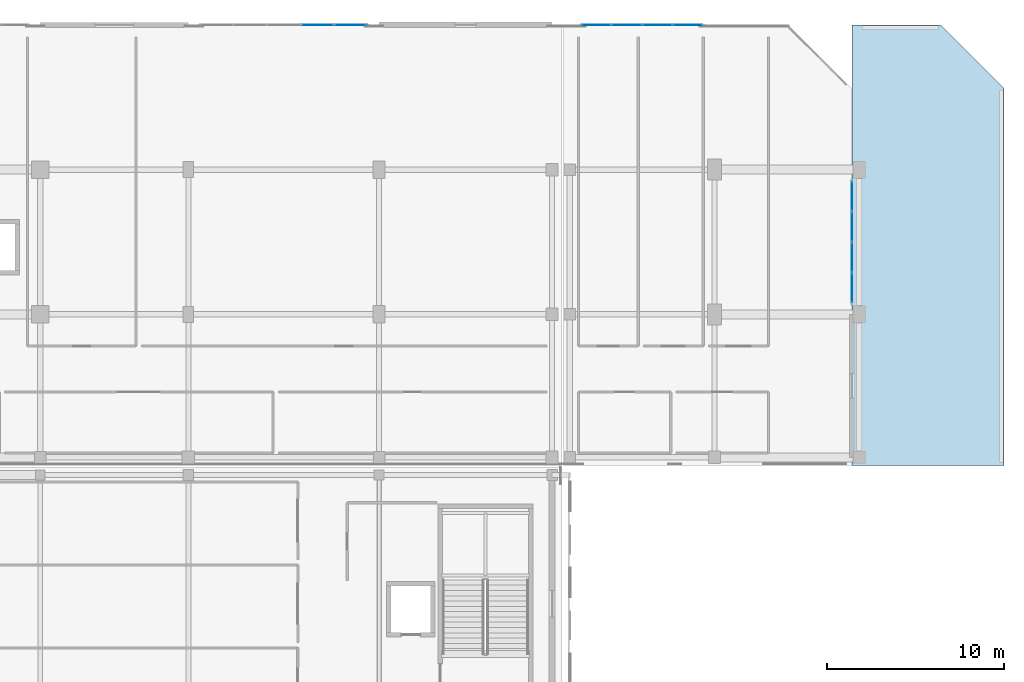
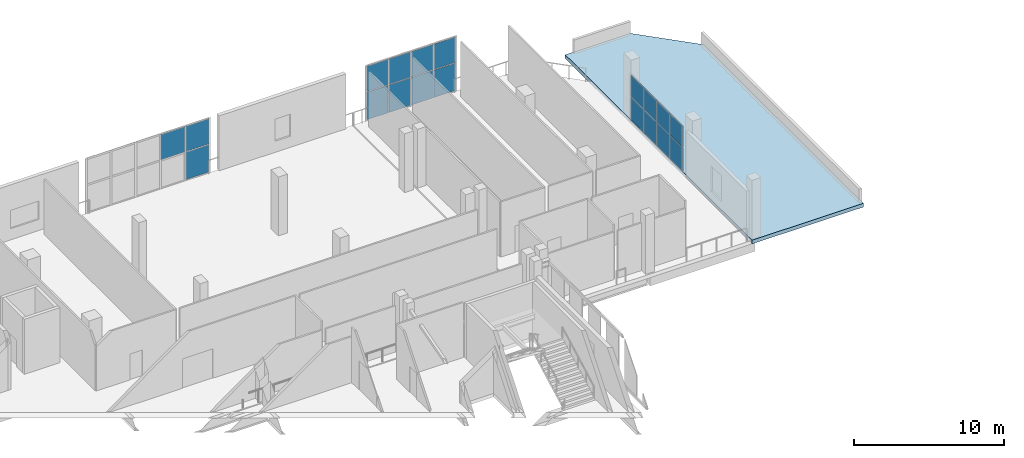
# One storey, part 85 of 142: 19 plates, 1 slab, 3 elements without a shape of their own.
"""IFC4 building model written with IfcOpenShell, lengths in metres."""

from ifc_helpers import new_model, si_unit, direction, frame, origin, origin_2d, place, context, subcontext, project, spatial, polyline, rectangle, outline, extrude, material, layer, layer_set, type_object, element, aggregate, save


model = new_model("IFC4")

# Units and contexts
model_context = context("Model", 3, precision=1e-05, world=origin(), true_north=direction((0.0, 1.0)))
body_context = subcontext(model_context, "Body", "Model", "MODEL_VIEW")
ifc_project = project(units=[si_unit("LENGTHUNIT", "METRE"), si_unit("AREAUNIT", "SQUARE_METRE"), si_unit("VOLUMEUNIT", "CUBIC_METRE"), si_unit("PLANEANGLEUNIT", "RADIAN"), si_unit("MASSUNIT", "GRAM", prefix="KILO")], contexts=[model_context])

# Site, building, storey
site_placement = place(None, origin())
site = spatial("IfcSite", under=ifc_project, at=site_placement, CompositionType="ELEMENT")
building_placement = place(site_placement, origin())
building = spatial("IfcBuilding", under=site, at=building_placement, Name="Koshinbarg Plaza Stadium", CompositionType="ELEMENT")
storey_placement = place(building_placement, frame((0.0, 0.0, 10.199951171875)))
storey = spatial("IfcBuildingStorey", under=building, at=storey_placement, Name="L02", CompositionType="ELEMENT", Elevation=10.199951171875)

# Curtain wall, plates
ifc_material_1 = material(Name="Thermally broken anodised aluminium and low-E double glazing", Category="aluminium")
curtain_wall_type_1 = type_object("IfcCurtainWallType", Name="CW-SYS-07", PredefinedType="NOTDEFINED", material=ifc_material_1)
curtain_wall_1_placement = place(storey_placement, origin())
curtain_wall_1 = element("IfcCurtainWall", 1, at=curtain_wall_1_placement, inside=storey, type_object=curtain_wall_type_1, Name="L02 unitised curtain wall CW-L02-054", PredefinedType="NOTDEFINED")
ifc_material_2 = material(Name="Solar-control low-E double glazing unit", Category="glass")
ifc_layer_1 = layer(ifc_material_2, 0.028076171875)
ifc_layer_set_1 = layer_set([ifc_layer_1], Name="Solar-control low-E double glazing unit")
plate_type_1 = type_object("IfcPlateType", Name="CW-PNL-28", PredefinedType="CURTAIN_PANEL", material=ifc_layer_set_1)
plate_1_placement = place(storey_placement, frame((220.905029296875, 152.0, 0.06005859375), z_axis=(0.0, 0.0, 1.0), x_axis=(1.0, 0.0, 0.0)))
plate_1 = element("IfcPlate", 2, at=plate_1_placement, type_object=plate_type_1, Name="CW07 panel 1.1", PredefinedType="CURTAIN_PANEL", context=body_context, shape_type="SweptSolid", body=[
    extrude(rectangle(XDim=1.64990234375, YDim=0.028076171875, at=origin_2d()), origin(), (0.0, 0.0, 1.0), 2.239501953125),
])
plate_2_placement = place(storey_placement, frame((220.905029296875, 152.0, 2.35986328125), z_axis=(0.0, 0.0, 1.0), x_axis=(1.0, 0.0, 0.0)))
plate_2 = element("IfcPlate", 3, at=plate_2_placement, type_object=plate_type_1, Name="CW07 panel 1.2", PredefinedType="CURTAIN_PANEL", context=body_context, shape_type="SweptSolid", body=[
    extrude(rectangle(XDim=1.64990234375, YDim=0.028076171875, at=origin_2d()), origin(), (0.0, 0.0, 1.0), 2.060302734375),
])
plate_3_placement = place(storey_placement, frame((222.6298828125, 152.0, 0.06005859375), z_axis=(0.0, 0.0, 1.0), x_axis=(1.0, 0.0, 0.0)))
plate_3 = element("IfcPlate", 4, at=plate_3_placement, type_object=plate_type_1, Name="CW07 panel 2.1", PredefinedType="CURTAIN_PANEL", context=body_context, shape_type="SweptSolid", body=[
    extrude(rectangle(XDim=1.679931640625, YDim=0.028076171875, at=origin_2d()), origin(), (0.0, 0.0, 1.0), 2.239501953125),
])
plate_4_placement = place(storey_placement, frame((222.6298828125, 152.0, 2.35986328125), z_axis=(0.0, 0.0, 1.0), x_axis=(1.0, 0.0, 0.0)))
plate_4 = element("IfcPlate", 5, at=plate_4_placement, type_object=plate_type_1, Name="CW07 panel 2.2", PredefinedType="CURTAIN_PANEL", context=body_context, shape_type="SweptSolid", body=[
    extrude(rectangle(XDim=1.679931640625, YDim=0.028076171875, at=origin_2d()), origin(), (0.0, 0.0, 1.0), 2.060302734375),
])
plate_5_placement = place(storey_placement, frame((224.3701171875, 152.0, 0.06005859375), z_axis=(0.0, 0.0, 1.0), x_axis=(1.0, 0.0, 0.0)))
plate_5 = element("IfcPlate", 6, at=plate_5_placement, type_object=plate_type_1, Name="CW07 panel 3.1", PredefinedType="CURTAIN_PANEL", context=body_context, shape_type="SweptSolid", body=[
    extrude(rectangle(XDim=1.679931640625, YDim=0.028076171875, at=origin_2d()), origin(), (0.0, 0.0, 1.0), 2.239501953125),
])
plate_6_placement = place(storey_placement, frame((224.3701171875, 152.0, 2.35986328125), z_axis=(0.0, 0.0, 1.0), x_axis=(1.0, 0.0, 0.0)))
plate_6 = element("IfcPlate", 7, at=plate_6_placement, type_object=plate_type_1, Name="CW07 panel 3.2", PredefinedType="CURTAIN_PANEL", context=body_context, shape_type="SweptSolid", body=[
    extrude(rectangle(XDim=1.679931640625, YDim=0.028076171875, at=origin_2d()), origin(), (0.0, 0.0, 1.0), 2.060302734375),
])
plate_7_placement = place(storey_placement, frame((226.094970703125, 152.0, 0.06005859375), z_axis=(0.0, 0.0, 1.0), x_axis=(1.0, 0.0, 0.0)))
plate_7 = element("IfcPlate", 8, at=plate_7_placement, type_object=plate_type_1, Name="CW07 panel 4.1", PredefinedType="CURTAIN_PANEL", context=body_context, shape_type="SweptSolid", body=[
    extrude(rectangle(XDim=1.64990234375, YDim=0.028076171875, at=origin_2d()), origin(), (0.0, 0.0, 1.0), 2.239501953125),
])
plate_8_placement = place(storey_placement, frame((226.094970703125, 152.0, 2.35986328125), z_axis=(0.0, 0.0, 1.0), x_axis=(1.0, 0.0, 0.0)))
plate_8 = element("IfcPlate", 9, at=plate_8_placement, type_object=plate_type_1, Name="CW07 panel 4.2", PredefinedType="CURTAIN_PANEL", context=body_context, shape_type="SweptSolid", body=[
    extrude(rectangle(XDim=1.64990234375, YDim=0.028076171875, at=origin_2d()), origin(), (0.0, 0.0, 1.0), 2.060302734375),
])
aggregate(curtain_wall_1, [plate_1, plate_2, plate_3, plate_4, plate_5, plate_6, plate_7, plate_8])

curtain_wall_type_2 = type_object("IfcCurtainWallType", Name="CW-SYS-06", PredefinedType="NOTDEFINED", material=ifc_material_1)
curtain_wall_2_placement = place(storey_placement, origin())
curtain_wall_2 = element("IfcCurtainWall", 10, at=curtain_wall_2_placement, inside=storey, type_object=curtain_wall_type_2, Name="L02 unitised curtain wall CW-L02-053", PredefinedType="NOTDEFINED")
ifc_material_3 = material(Name="Acoustic solar-control double glazing unit", Category="glass")
ifc_layer_2 = layer(ifc_material_3, 0.031982421875)
ifc_layer_set_2 = layer_set([ifc_layer_2], Name="Acoustic solar-control double glazing unit")
plate_type_2 = type_object("IfcPlateType", Name="CW-PNL-32", PredefinedType="CURTAIN_PANEL", material=ifc_layer_set_2)
plate_9_placement = place(storey_placement, frame((205.112060546875, 152.0, 2.35986328125), z_axis=(0.0, 0.0, 1.0), x_axis=(1.0, 0.0, 0.0)))
plate_9 = element("IfcPlate", 11, at=plate_9_placement, type_object=plate_type_2, Name="CW06 panel 4.2", PredefinedType="CURTAIN_PANEL", context=body_context, shape_type="SweptSolid", body=[
    extrude(rectangle(XDim=1.85205078125, YDim=0.031982421875, at=origin_2d()), origin(), (0.0, 0.0, 1.0), 2.060302734375),
])
plate_10_placement = place(storey_placement, frame((207.009033203125, 152.0, 0.06005859375), z_axis=(0.0, 0.0, 1.0), x_axis=(1.0, 0.0, 0.0)))
plate_10 = element("IfcPlate", 12, at=plate_10_placement, type_object=plate_type_2, Name="CW06 panel 5.1", PredefinedType="CURTAIN_PANEL", context=body_context, shape_type="SweptSolid", body=[
    extrude(rectangle(XDim=1.822021484375, YDim=0.031982421875, at=origin_2d()), origin(), (0.0, 0.0, 1.0), 2.239501953125),
])
plate_11_placement = place(storey_placement, frame((207.009033203125, 152.0, 2.35986328125), z_axis=(0.0, 0.0, 1.0), x_axis=(1.0, 0.0, 0.0)))
plate_11 = element("IfcPlate", 13, at=plate_11_placement, type_object=plate_type_2, Name="CW06 panel 5.2", PredefinedType="CURTAIN_PANEL", context=body_context, shape_type="SweptSolid", body=[
    extrude(rectangle(XDim=1.822021484375, YDim=0.031982421875, at=origin_2d()), origin(), (0.0, 0.0, 1.0), 2.060302734375),
])
aggregate(curtain_wall_2, [plate_9, plate_10, plate_11])

curtain_wall_type_3 = type_object("IfcCurtainWallType", Name="CW-SYS-12", PredefinedType="NOTDEFINED", material=ifc_material_1)
curtain_wall_3_placement = place(storey_placement, origin())
curtain_wall_3 = element("IfcCurtainWall", 14, at=curtain_wall_3_placement, inside=storey, type_object=curtain_wall_type_3, Name="L02 unitised curtain wall CW-L02-059", PredefinedType="NOTDEFINED")
plate_12_placement = place(storey_placement, frame((235.3798828125, 142.294921875, 0.06005859375), z_axis=(0.0, 0.0, 1.0), x_axis=(0.0, -1.0, 0.0)))
plate_12 = element("IfcPlate", 15, at=plate_12_placement, type_object=plate_type_2, Name="CW12 panel 1.1", PredefinedType="CURTAIN_PANEL", context=body_context, shape_type="SweptSolid", body=[
    extrude(rectangle(XDim=1.64990234375, YDim=0.031982421875, at=origin_2d()), origin(), (0.0, 0.0, 1.0), 1.87548828125),
])
plate_13_placement = place(storey_placement, frame((235.3798828125, 142.294921875, 1.99560546875), z_axis=(0.0, 0.0, 1.0), x_axis=(0.0, -1.0, 0.0)))
plate_13 = element("IfcPlate", 16, at=plate_13_placement, type_object=plate_type_2, Name="CW12 panel 1.2", PredefinedType="CURTAIN_PANEL", context=body_context, shape_type="SweptSolid", body=[
    extrude(rectangle(XDim=1.64990234375, YDim=0.031982421875, at=origin_2d()), origin(), (0.0, 0.0, 1.0), 1.724365234375),
])
plate_14_placement = place(storey_placement, frame((235.3798828125, 140.570068359375, 0.06005859375), z_axis=(0.0, 0.0, 1.0), x_axis=(0.0, -1.0, 0.0)))
plate_14 = element("IfcPlate", 17, at=plate_14_placement, type_object=plate_type_2, Name="CW12 panel 2.1", PredefinedType="CURTAIN_PANEL", context=body_context, shape_type="SweptSolid", body=[
    extrude(rectangle(XDim=1.679931640625, YDim=0.031982421875, at=origin_2d()), origin(), (0.0, 0.0, 1.0), 1.87548828125),
])
plate_15_placement = place(storey_placement, frame((235.3798828125, 140.570068359375, 1.99560546875), z_axis=(0.0, 0.0, 1.0), x_axis=(0.0, -1.0, 0.0)))
plate_15 = element("IfcPlate", 18, at=plate_15_placement, type_object=plate_type_2, Name="CW12 panel 2.2", PredefinedType="CURTAIN_PANEL", context=body_context, shape_type="SweptSolid", body=[
    extrude(rectangle(XDim=1.679931640625, YDim=0.031982421875, at=origin_2d()), origin(), (0.0, 0.0, 1.0), 1.724365234375),
])
plate_16_placement = place(storey_placement, frame((235.3798828125, 138.830078125, 0.06005859375), z_axis=(0.0, 0.0, 1.0), x_axis=(0.0, -1.0, 0.0)))
plate_16 = element("IfcPlate", 19, at=plate_16_placement, type_object=plate_type_2, Name="CW12 panel 3.1", PredefinedType="CURTAIN_PANEL", context=body_context, shape_type="SweptSolid", body=[
    extrude(rectangle(XDim=1.679931640625, YDim=0.031982421875, at=origin_2d()), origin(), (0.0, 0.0, 1.0), 1.87548828125),
])
plate_17_placement = place(storey_placement, frame((235.3798828125, 138.830078125, 1.99560546875), z_axis=(0.0, 0.0, 1.0), x_axis=(0.0, -1.0, 0.0)))
plate_17 = element("IfcPlate", 20, at=plate_17_placement, type_object=plate_type_2, Name="CW12 panel 3.2", PredefinedType="CURTAIN_PANEL", context=body_context, shape_type="SweptSolid", body=[
    extrude(rectangle(XDim=1.679931640625, YDim=0.031982421875, at=origin_2d()), origin(), (0.0, 0.0, 1.0), 1.724365234375),
])
plate_18_placement = place(storey_placement, frame((235.3798828125, 137.10498046875, 0.06005859375), z_axis=(0.0, 0.0, 1.0), x_axis=(0.0, -1.0, 0.0)))
plate_18 = element("IfcPlate", 21, at=plate_18_placement, type_object=plate_type_2, Name="CW12 panel 4.1", PredefinedType="CURTAIN_PANEL", context=body_context, shape_type="SweptSolid", body=[
    extrude(rectangle(XDim=1.64990234375, YDim=0.031982421875, at=origin_2d()), origin(), (0.0, 0.0, 1.0), 1.87548828125),
])
plate_19_placement = place(storey_placement, frame((235.3798828125, 137.10498046875, 1.99560546875), z_axis=(0.0, 0.0, 1.0), x_axis=(0.0, -1.0, 0.0)))
plate_19 = element("IfcPlate", 22, at=plate_19_placement, type_object=plate_type_2, Name="CW12 panel 4.2", PredefinedType="CURTAIN_PANEL", context=body_context, shape_type="SweptSolid", body=[
    extrude(rectangle(XDim=1.64990234375, YDim=0.031982421875, at=origin_2d()), origin(), (0.0, 0.0, 1.0), 1.724365234375),
])
aggregate(curtain_wall_3, [plate_12, plate_13, plate_14, plate_15, plate_16, plate_17, plate_18, plate_19])

# Slab
ifc_material_4 = material(Name="Concrete C35/45", Category="concrete")
ifc_layer_3 = layer(ifc_material_4, 0.300048828125)
ifc_layer_set_3 = layer_set([ifc_layer_3], Name="Concrete C35/45")
slab_type = type_object("IfcSlabType", Name="SL-FLATROOF-260", PredefinedType="ROOF", material=ifc_layer_set_3)
slab_placement = place(storey_placement, frame((0.0, 0.0, -0.300048828125)))
element("IfcSlab", 23, at=slab_placement, inside=storey, type_object=slab_type, Name="L02 pavilion flat roof slab RF-V3-STEP1", PredefinedType="ROOF", context=body_context, shape_type="SweptSolid", body=[
    extrude(outline(polyline([(235.39990234375, 127.044921875), (244.0, 127.044921875), (244.0, 148.39990234375), (240.39990234375, 152.0), (235.39990234375, 152.0), (235.39990234375, 127.044921875)])), origin(), (0.0, 0.0, 1.0), 0.300048828125),
])

save(model, "model.ifc")
